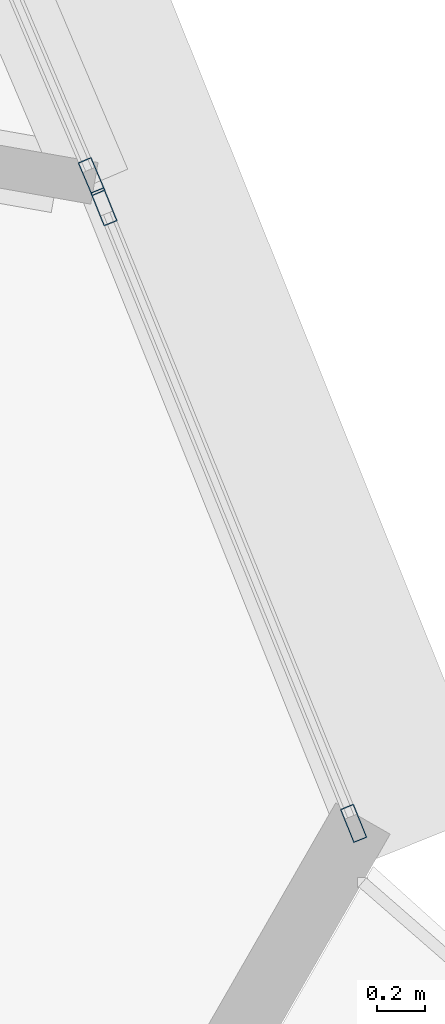
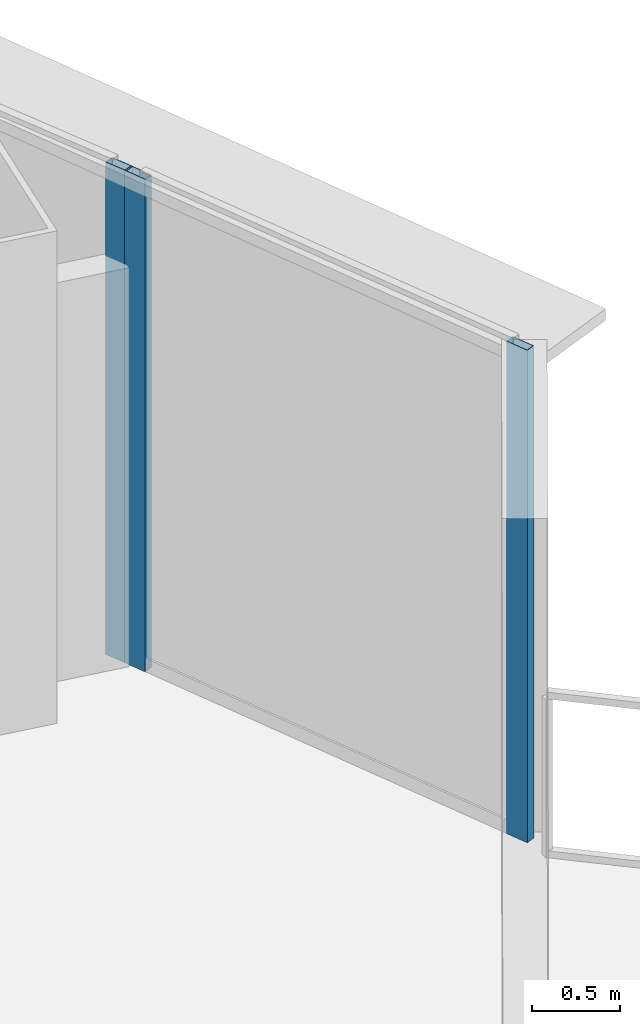
# One storey, part 26 of 39: 3 members, 2 elements without a shape of their own.
"""IFC4 building model written with IfcOpenShell, lengths in metres."""

from ifc_helpers import new_model, si_unit, direction, frame, origin, origin_2d, place, context, subcontext, project, spatial, hollow_rectangle, extrude, source, transform, mapped, material, layer, layer_set, material_profile, profile_set, type_object, element, aggregate, save


model = new_model("IFC4")

# Units and contexts
model_context = context("Model", 3, precision=1e-05, world=origin(), true_north=direction((0.0, 1.0)))
body_context = subcontext(model_context, "Body", "Model", "MODEL_VIEW")
ifc_project = project(units=[si_unit("LENGTHUNIT", "METRE"), si_unit("AREAUNIT", "SQUARE_METRE"), si_unit("VOLUMEUNIT", "CUBIC_METRE"), si_unit("PLANEANGLEUNIT", "RADIAN"), si_unit("MASSUNIT", "GRAM", prefix="KILO"), si_unit("THERMODYNAMICTEMPERATUREUNIT", "KELVIN"), si_unit("POWERUNIT", "WATT")], contexts=[model_context])

# Site, building, storey
site_placement = place(None, origin())
site = spatial("IfcSite", under=ifc_project, at=site_placement, CompositionType="ELEMENT")
building_placement = place(site_placement, origin())
building = spatial("IfcBuilding", under=site, at=building_placement, Name="Yunzhuo Pagoda Commons", CompositionType="ELEMENT")
storey_placement = place(building_placement, frame((0.0, 0.0, 166.6298828125)))
storey = spatial("IfcBuildingStorey", under=building, at=storey_placement, Name="L42", CompositionType="ELEMENT", Elevation=166.6298828125)

# Curtain wall, member
ifc_material = material(Name="Anodized aluminium 6063-T6", Category="aluminium")
ifc_layer = layer(ifc_material, 0.14990234375)
ifc_layer_set = layer_set([ifc_layer], Name="Anodized aluminium 6063-T6")
curtain_wall_type = type_object("IfcCurtainWallType", Name="CW-MID Mid-Zone Ribbon Curtain Wall", PredefinedType="NOTDEFINED", material=ifc_layer_set)
curtain_wall_1_placement = place(storey_placement, origin())
curtain_wall_1 = element("IfcCurtainWall", 1, at=curtain_wall_1_placement, inside=storey, type_object=curtain_wall_type, Name="L42 curtain wall CW-L42-F2B2", PredefinedType="NOTDEFINED")
ifc_material_profile = material_profile(ifc_material, hollow_rectangle(XDim=0.06005859375, YDim=0.14990234375, WallThickness=0.00390625, at=origin_2d()), Name="Anodized aluminium 6063-T6")
ifc_profile_set = profile_set([ifc_material_profile], Name="Anodized aluminium 6063-T6")
member_type = type_object("IfcMemberType", Name="CW-MID-M Mullion RHS 150x60x4", PredefinedType="MULLION", material=ifc_profile_set)
shared_shape = source(origin(), body_context, "Body", "SweptSolid", [
    extrude(hollow_rectangle(XDim=0.06005859375, YDim=0.14990234375, WallThickness=0.00390625, at=origin_2d()), origin(), (0.0, 0.0, 1.0), 3.420166015625),
])
member_1_placement = place(storey_placement, frame((86.01953125, 27.02197265625, 0.0), z_axis=(0.0, 0.0, 1.0), x_axis=(-0.920363798122, -0.391063267395, 0.0)))
member_1 = element("IfcMember", 2, at=member_1_placement, type_object=member_type, Name="CW mullion 1", PredefinedType="MULLION", context=body_context, shape_type="MappedRepresentation", body=[
    mapped(shared_shape, transform((0.0, 0.0, 0.0), scale=1.0)),
])
aggregate(curtain_wall_1, [member_1])

# Curtain wall, members
curtain_wall_2_placement = place(storey_placement, origin())
curtain_wall_2 = element("IfcCurtainWall", 3, at=curtain_wall_2_placement, inside=storey, type_object=curtain_wall_type, Name="L42 curtain wall CW-L42-F2B1", PredefinedType="NOTDEFINED")
member_2_placement = place(storey_placement, frame((87.105224609375, 24.342041015625, 0.0), z_axis=(0.0, 0.0, 1.0), x_axis=(-0.926896232527, -0.375317697594, 0.0)))
member_2 = element("IfcMember", 4, at=member_2_placement, type_object=member_type, Name="CW mullion 1", PredefinedType="MULLION", context=body_context, shape_type="MappedRepresentation", body=[
    mapped(shared_shape, transform((0.0, 0.0, 0.0), scale=1.0)),
])
member_3_placement = place(storey_placement, frame((86.070556640625, 26.89697265625, 0.0), z_axis=(0.0, 0.0, 1.0), x_axis=(-0.926896232527, -0.375317697594, 0.0)))
member_3 = element("IfcMember", 5, at=member_3_placement, type_object=member_type, Name="CW mullion 2", PredefinedType="MULLION", context=body_context, shape_type="MappedRepresentation", body=[
    mapped(shared_shape, transform((0.0, 0.0, 0.0), scale=1.0)),
])
aggregate(curtain_wall_2, [member_2, member_3])

save(model, "model.ifc")
